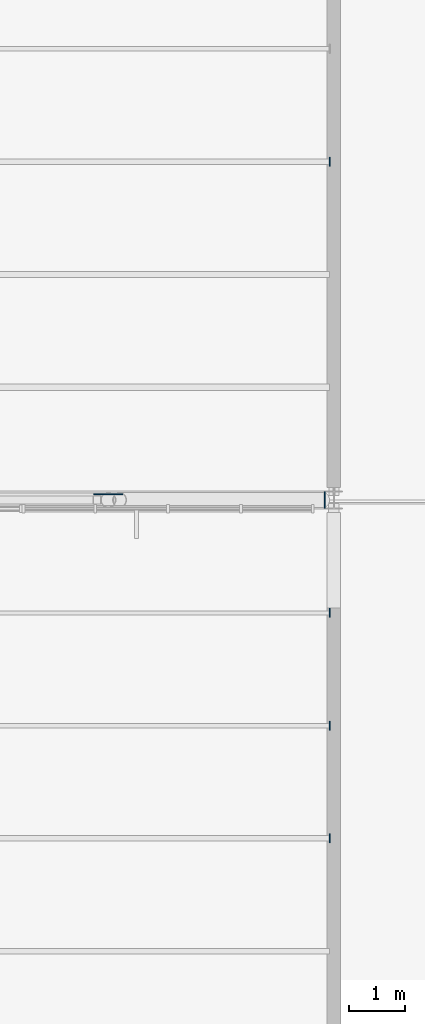
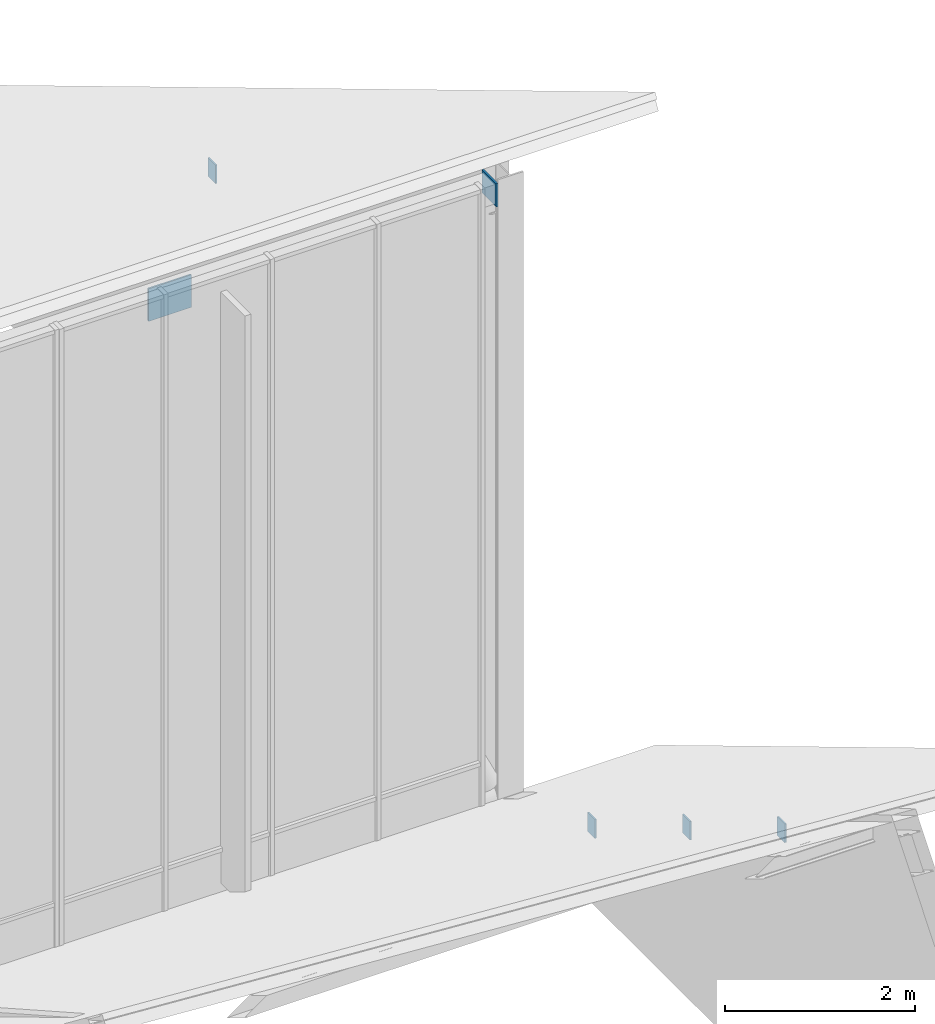
# One storey, part 91 of 155: 6 plates.
"""IFC4 building model written with IfcOpenShell, lengths in metres."""

from ifc_helpers import new_model, si_unit, direction, frame, origin, origin_2d, place, context, subcontext, project, spatial, rectangle, extrude, material, layer, layer_set, type_object, element, save


model = new_model("IFC4")

# Units and contexts
model_context = context("Model", 3, precision=1e-05, world=origin(), true_north=direction((0.0, 1.0)))
body_context = subcontext(model_context, "Body", "Model", "MODEL_VIEW")
ifc_project = project(units=[si_unit("LENGTHUNIT", "METRE"), si_unit("AREAUNIT", "SQUARE_METRE"), si_unit("VOLUMEUNIT", "CUBIC_METRE"), si_unit("PLANEANGLEUNIT", "RADIAN"), si_unit("MASSUNIT", "GRAM", prefix="KILO")], contexts=[model_context])

# Site, building, storey
site_placement = place(None, origin())
site = spatial("IfcSite", under=ifc_project, at=site_placement, CompositionType="ELEMENT")
building_placement = place(site_placement, origin())
building = spatial("IfcBuilding", under=site, at=building_placement, Name="Larkveld Mobility Hub", CompositionType="ELEMENT")
storey_placement = place(building_placement, frame((0.0, 0.0, 8.39990234375)))
storey = spatial("IfcBuildingStorey", under=building, at=storey_placement, Name="L02", CompositionType="ELEMENT", Elevation=8.39990234375)

# Plates
ifc_material = material(Name="Steel S355JR", Category="steel")
ifc_layer_1 = layer(ifc_material, 0.02001953125, Name="Steel S355JR", Category="steel")
ifc_layer_set_1 = layer_set([ifc_layer_1], Name="Steel S355JR")
plate_type_1 = type_object("IfcPlateType", Name="PT-EC01", PredefinedType="USERDEFINED", material=ifc_layer_set_1)
plate_1_placement = place(storey_placement, frame((183.840087890625, 56.0, 7.80029296875), z_axis=(0.0, 0.0, 1.0), x_axis=(1.0, 0.0, 0.0)))
element("IfcPlate", 1, at=plate_1_placement, inside=storey, type_object=plate_type_1, Name="Hollow Chord End Cap Plate EC-027", ObjectType="GUSSET PLATE", PredefinedType="USERDEFINED", context=body_context, shape_type="SweptSolid", body=[
    extrude(rectangle(XDim=0.02001953125, YDim=0.300048828125, at=origin_2d()), origin(), (0.0, 0.0, 1.0), 0.300048828125),
])
ifc_layer_2 = layer(ifc_material, 0.02001953125, Name="Steel S355JR", Category="steel")
ifc_layer_set_2 = layer_set([ifc_layer_2], Name="Steel S355JR")
plate_type_2 = type_object("IfcPlateType", Name="PT-EC02", PredefinedType="USERDEFINED", material=ifc_layer_set_2)
for number, where, z_axis, x_axis, name in (
    (2, (183.927978515625, 50.0, 3.18701171875), (0.0, 0.0, 1.0), (1.0, 0.0, 0.0), "Hollow Purlin End Cap Plate PEC-111"),
    (3, (183.927978515625, 52.0, 2.00732421875), (0.0, 0.0, 1.0), (1.0, 0.0, 0.0), "Hollow Purlin End Cap Plate PEC-119"),
    (4, (183.927978515625, 54.0, 0.81689453125), (0.0, 0.0, 1.0), (1.0, 0.0, 0.0), "Hollow Purlin End Cap Plate PEC-127"),
    (5, (183.927978515625, 62.0, 4.38720703125), (0.0, 0.0, 1.0), (1.0, 0.0, 0.0), "Hollow Purlin End Cap Plate PEC-135"),
):
    element("IfcPlate", number, at=place(storey_placement, frame(where, z_axis=z_axis, x_axis=x_axis)), inside=storey, type_object=plate_type_2, Name=name, ObjectType="GUSSET PLATE", PredefinedType="USERDEFINED", context=body_context, shape_type="SweptSolid", body=[
        extrude(rectangle(XDim=0.02001953125, YDim=0.159912109375, at=origin_2d()), origin(), (0.0, 0.0, 1.0), 0.239990234375),
    ])
ifc_layer_3 = layer(ifc_material, 0.02001953125, Name="Steel S355JR", Category="steel")
ifc_layer_set_3 = layer_set([ifc_layer_3], Name="Steel S355JR")
plate_type_3 = type_object("IfcPlateType", Name="PT-GS01", PredefinedType="USERDEFINED", material=ifc_layer_set_3)
plate_2_placement = place(storey_placement, frame((180.0, 56.10009765625, 7.615234375), z_axis=(0.0, 0.0, 1.0), x_axis=(1.0, 0.0, 0.0)))
element("IfcPlate", 6, at=plate_2_placement, inside=storey, type_object=plate_type_3, Name="Truss Node Gusset Plate TN-025", ObjectType="GUSSET PLATE", PredefinedType="USERDEFINED", context=body_context, shape_type="SweptSolid", body=[
    extrude(rectangle(XDim=0.52001953125, YDim=0.02001953125, at=origin_2d()), origin(), (0.0, 0.0, 1.0), 0.419921875),
])

save(model, "model.ifc")
